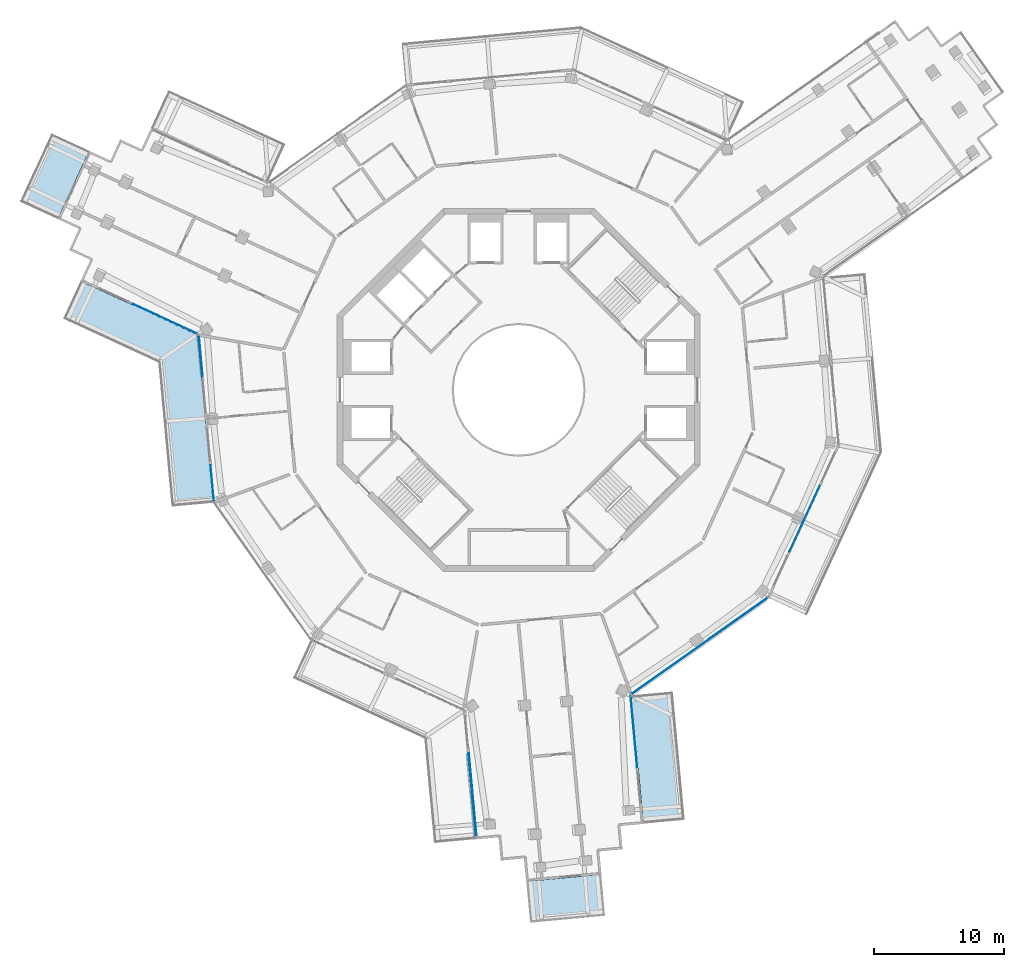
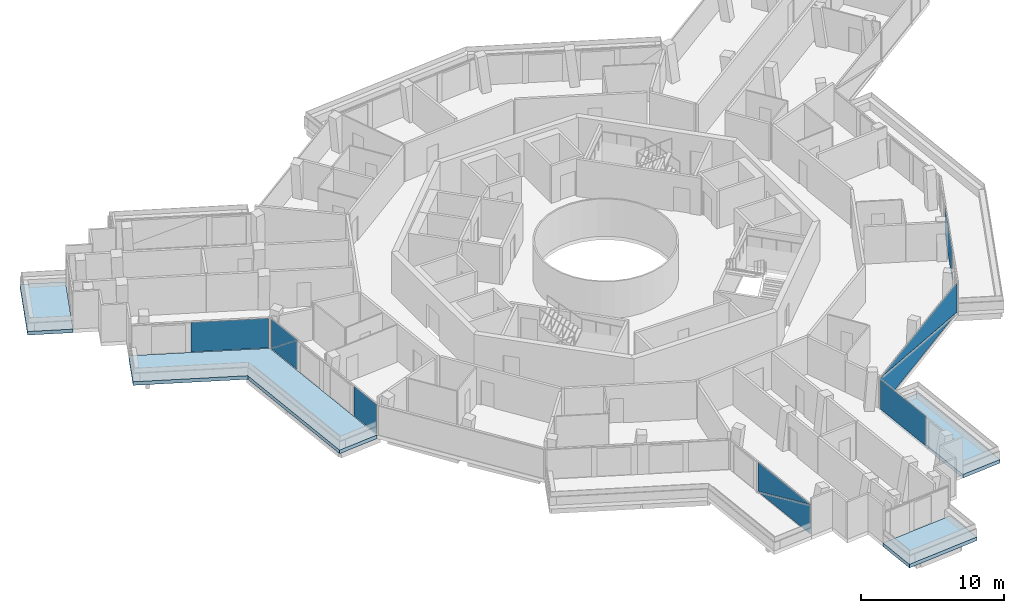
# One storey, part 13 of 25: 10 plates, 4 slabs, 6 elements without a shape of their own.
"""IFC4 building model written with IfcOpenShell, lengths in metres."""

from ifc_helpers import new_model, si_unit, direction, frame, origin, origin_2d, place, context, subcontext, project, spatial, polyline, rectangle, outline, extrude, material, layer, layer_set, type_object, element, aggregate, save


model = new_model("IFC4")

# Units and contexts
model_context = context("Model", 3, precision=1e-05, world=origin(), true_north=direction((0.0, 1.0)))
body_context = subcontext(model_context, "Body", "Model", "MODEL_VIEW")
ifc_project = project(units=[si_unit("LENGTHUNIT", "METRE"), si_unit("AREAUNIT", "SQUARE_METRE"), si_unit("VOLUMEUNIT", "CUBIC_METRE"), si_unit("PLANEANGLEUNIT", "RADIAN"), si_unit("MASSUNIT", "GRAM", prefix="KILO")], contexts=[model_context])

# Site, building, storey
site_placement = place(None, origin())
site = spatial("IfcSite", under=ifc_project, at=site_placement, CompositionType="ELEMENT")
building_placement = place(site_placement, origin())
building = spatial("IfcBuilding", under=site, at=building_placement, Name="Verdalira Terraces Hotel", CompositionType="ELEMENT")
storey_placement = place(building_placement, frame((0.0, 0.0, 299.5)))
storey = spatial("IfcBuildingStorey", under=building, at=storey_placement, Name="L74", CompositionType="ELEMENT", Elevation=299.5)

# Slabs
ifc_material_1 = material(Name="Precast concrete C40/50", Category="concrete")
ifc_layer_1 = layer(ifc_material_1, 0.31005859375)
ifc_layer_set_1 = layer_set([ifc_layer_1], Name="Balcony deck 310")
slab_type = type_object("IfcSlabType", Name="Balcony deck 310", PredefinedType="FLOOR", material=ifc_layer_set_1)
slab_1_placement = place(storey_placement, frame((0.0, 0.0, -0.310059)))
element("IfcSlab", 1, at=slab_1_placement, inside=storey, type_object=slab_type, Name="Balcony deck", PredefinedType="FLOOR", context=body_context, shape_type="SweptSolid", body=[
    extrude(outline(polyline([(-38.440918, 14.504395), (-35.53418, 13.16626), (-33.108643, 18.434814), (-36.015381, 19.772949), (-38.440918, 14.504395)])), origin(), (0.0, 0.0, 1.0), 0.310059),
])
slab_2_placement = place(storey_placement, frame((0.0, 0.0, -0.310059)))
element("IfcSlab", 2, at=slab_2_placement, inside=storey, type_object=slab_type, Name="Balcony deck", PredefinedType="FLOOR", context=body_context, shape_type="SweptSolid", body=[
    extrude(outline(polyline([(-27.77002, 2.105957), (-26.743652, -8.999268), (-23.557129, -8.704834), (-24.753662, 4.23999), (-33.769531, 8.390869), (-35.107666, 5.483887), (-27.77002, 2.105957)])), origin(), (0.0, 0.0, 1.0), 0.310059),
])
slab_3_placement = place(storey_placement, frame((0.0, 0.0, -0.310059)))
element("IfcSlab", 3, at=slab_3_placement, inside=storey, type_object=slab_type, Name="Balcony deck", PredefinedType="FLOOR", context=body_context, shape_type="SweptSolid", body=[
    extrude(outline(polyline([(6.65918, -40.542969), (6.364746, -37.356689), (0.589355, -37.890381), (0.883789, -41.07666), (6.65918, -40.542969)])), origin(), (0.0, 0.0, 1.0), 0.310059),
])
slab_4_placement = place(storey_placement, frame((0.0, 0.0, -0.310059)))
element("IfcSlab", 4, at=slab_4_placement, inside=storey, type_object=slab_type, Name="Balcony deck", PredefinedType="FLOOR", context=body_context, shape_type="SweptSolid", body=[
    extrude(outline(polyline([(11.891113, -23.262695), (8.704834, -23.557129), (9.618164, -33.440674), (12.804443, -33.145996), (11.891113, -23.262695)])), origin(), (0.0, 0.0, 1.0), 0.310059),
])

# Curtain wall, plates
ifc_material_2 = material(Name="Clear glass", Category="glass")
ifc_layer_2 = layer(ifc_material_2, 0.14990234375)
ifc_layer_set_2 = layer_set([ifc_layer_2], Name="CW1 curtain wall")
curtain_wall_type_1 = type_object("IfcCurtainWallType", Name="CW1 curtain wall", PredefinedType="NOTDEFINED", material=ifc_layer_set_2)
curtain_wall_1_placement = place(storey_placement, origin())
curtain_wall_1 = element("IfcCurtainWall", 5, at=curtain_wall_1_placement, inside=storey, type_object=curtain_wall_type_1, Name="CW1 curtain wall L74 edge 11", PredefinedType="NOTDEFINED")
ifc_material_3 = material(Name="Clear glass", Category="glass")
ifc_layer_3 = layer(ifc_material_3, 0.028076171875)
ifc_layer_set_3 = layer_set([ifc_layer_3], Name="CW1 glass unit 28")
plate_type_1 = type_object("IfcPlateType", Name="CW1 glass unit 28", PredefinedType="CURTAIN_PANEL", material=ifc_layer_set_3)
plate_1_placement = place(storey_placement, frame((-24.512695, 2.600342, 1.262451), z_axis=(-0.995756881, -0.092023008, 0.0), x_axis=(0.092023008, -0.995756881, 0.0)))
plate_1 = element("IfcPlate", 6, at=plate_1_placement, type_object=plate_type_1, Name="CW1 glass unit", PredefinedType="CURTAIN_PANEL", context=body_context, shape_type="SweptSolid", body=[
    extrude(outline(polyline([(-1.594971, -1.262451), (1.594971, -1.262451), (1.594971, 1.262451), (-1.594971, -1.262451)])), origin(), (0.0, 0.0, 1.0), 0.028076),
])
plate_2_placement = place(storey_placement, frame((-24.483643, 2.603027, 1.262451), z_axis=(-0.995756881, -0.092023008, 0.0), x_axis=(0.092023008, -0.995756881, 0.0)))
plate_2 = element("IfcPlate", 7, at=plate_2_placement, type_object=plate_type_1, Name="CW1 glass unit", PredefinedType="CURTAIN_PANEL", context=body_context, shape_type="SweptSolid", body=[
    extrude(outline(polyline([(-1.594971, -1.262451), (1.594971, 1.262451), (-1.594971, 1.262451), (-1.594971, -1.262451)])), origin(), (0.0, 0.0, 1.0), 0.028076),
])
plate_3_placement = place(storey_placement, frame((-23.620117, -7.209717, 0.0), z_axis=(0.0, 0.0, 1.0), x_axis=(0.092023008, -0.995756881, 0.0)))
plate_3 = element("IfcPlate", 8, at=plate_3_placement, type_object=plate_type_1, Name="CW1 glass unit", PredefinedType="CURTAIN_PANEL", context=body_context, shape_type="SweptSolid", body=[
    extrude(rectangle(XDim=2.788574, YDim=0.028076, at=origin_2d()), origin(), (0.0, 0.0, 1.0), 2.524902),
])
aggregate(curtain_wall_1, [plate_1, plate_2, plate_3])

curtain_wall_2_placement = place(storey_placement, origin())
curtain_wall_2 = element("IfcCurtainWall", 9, at=curtain_wall_2_placement, inside=storey, type_object=curtain_wall_type_1, Name="CW1 curtain wall L74 edge 25", PredefinedType="NOTDEFINED")
plate_4_placement = place(storey_placement, frame((13.943115, -19.741943, 1.262451), z_axis=(0.577572703, -0.816339251, 0.0), x_axis=(0.816339251, 0.577572703, 0.0)))
plate_4 = element("IfcPlate", 10, at=plate_4_placement, type_object=plate_type_1, Name="CW1 glass unit", PredefinedType="CURTAIN_PANEL", context=body_context, shape_type="SweptSolid", body=[
    extrude(outline(polyline([(-6.419922, -1.262451), (6.419922, -1.262451), (-6.419922, 1.262451), (-6.419922, -1.262451)])), origin(), (0.0, 0.0, 1.0), 0.028076),
])
plate_5_placement = place(storey_placement, frame((13.92627, -19.718262, 1.262451), z_axis=(0.577572703, -0.816339251, 0.0), x_axis=(0.816339251, 0.577572703, 0.0)))
plate_5 = element("IfcPlate", 11, at=plate_5_placement, type_object=plate_type_1, Name="CW1 glass unit", PredefinedType="CURTAIN_PANEL", context=body_context, shape_type="SweptSolid", body=[
    extrude(outline(polyline([(6.419922, -1.262451), (6.419922, 1.262451), (-6.419922, 1.262451), (6.419922, -1.262451)])), origin(), (0.0, 0.0, 1.0), 0.028076),
])
aggregate(curtain_wall_2, [plate_4, plate_5])

# Curtain wall, plate
curtain_wall_3_placement = place(storey_placement, origin())
curtain_wall_3 = element("IfcCurtainWall", 12, at=curtain_wall_3_placement, inside=storey, type_object=curtain_wall_type_1, Name="CW1 curtain wall L74 edge 26", PredefinedType="NOTDEFINED")
plate_6_placement = place(storey_placement, frame((22.04248, -9.949707, 0.0), z_axis=(0.0, 0.0, 1.0), x_axis=(0.418184178, 0.908362259, 0.0)))
plate_6 = element("IfcPlate", 13, at=plate_6_placement, type_object=plate_type_1, Name="CW1 glass unit", PredefinedType="CURTAIN_PANEL", context=body_context, shape_type="SweptSolid", body=[
    extrude(rectangle(XDim=5.586182, YDim=0.028076, at=origin_2d()), origin(), (0.0, 0.0, 1.0), 2.524902),
])
aggregate(curtain_wall_3, [plate_6])

ifc_material_4 = material(Name="Clear glass", Category="glass")
ifc_layer_4 = layer(ifc_material_4, 0.14990234375)
ifc_layer_set_4 = layer_set([ifc_layer_4], Name="CW2 curtain wall")
curtain_wall_type_2 = type_object("IfcCurtainWallType", Name="CW2 curtain wall", PredefinedType="NOTDEFINED", material=ifc_layer_set_4)
curtain_wall_4_placement = place(storey_placement, origin())
curtain_wall_4 = element("IfcCurtainWall", 14, at=curtain_wall_4_placement, inside=storey, type_object=curtain_wall_type_2, Name="CW2 curtain wall L74 edge 10", PredefinedType="NOTDEFINED")
ifc_material_5 = material(Name="Clear glass", Category="glass")
ifc_layer_5 = layer(ifc_material_5, 0.031982421875)
ifc_layer_set_5 = layer_set([ifc_layer_5], Name="CW2 glass unit 32")
plate_type_2 = type_object("IfcPlateType", Name="CW2 glass unit 32", PredefinedType="CURTAIN_PANEL", material=ifc_layer_set_5)
plate_7_placement = place(storey_placement, frame((-27.272705, 5.482422, 0.0), z_axis=(0.0, 0.0, 1.0), x_axis=(0.908362259, -0.418184178, 0.0)))
plate_7 = element("IfcPlate", 15, at=plate_7_placement, type_object=plate_type_2, Name="CW2 glass unit", PredefinedType="CURTAIN_PANEL", context=body_context, shape_type="SweptSolid", body=[
    extrude(rectangle(XDim=5.475342, YDim=0.031982, at=origin_2d()), origin(), (0.0, 0.0, 1.0), 2.524902),
])
aggregate(curtain_wall_4, [plate_7])

# Curtain wall, plates
curtain_wall_5_placement = place(storey_placement, origin())
curtain_wall_5 = element("IfcCurtainWall", 16, at=curtain_wall_5_placement, inside=storey, type_object=curtain_wall_type_2, Name="CW2 curtain wall L74 edge 14", PredefinedType="NOTDEFINED")
plate_8_placement = place(storey_placement, frame((-3.55249, -31.205322, 1.262451), z_axis=(-0.995756881, -0.092023008, 0.0), x_axis=(0.092023008, -0.995756881, 0.0)))
plate_8 = element("IfcPlate", 17, at=plate_8_placement, type_object=plate_type_2, Name="CW2 glass unit", PredefinedType="CURTAIN_PANEL", context=body_context, shape_type="SweptSolid", body=[
    extrude(outline(polyline([(-3.217773, -1.262451), (3.217773, -1.262451), (3.217773, 1.262451), (-3.217773, -1.262451)])), origin(), (0.0, 0.0, 1.0), 0.031982),
])
plate_9_placement = place(storey_placement, frame((-3.519531, -31.202393, 1.262451), z_axis=(-0.995756881, -0.092023008, 0.0), x_axis=(0.092023008, -0.995756881, 0.0)))
plate_9 = element("IfcPlate", 18, at=plate_9_placement, type_object=plate_type_2, Name="CW2 glass unit", PredefinedType="CURTAIN_PANEL", context=body_context, shape_type="SweptSolid", body=[
    extrude(outline(polyline([(-3.217773, -1.262451), (3.217773, 1.262451), (-3.217773, 1.262451), (-3.217773, -1.262451)])), origin(), (0.0, 0.0, 1.0), 0.031982),
])
aggregate(curtain_wall_5, [plate_8, plate_9])

# Curtain wall, plate
curtain_wall_6_placement = place(storey_placement, origin())
curtain_wall_6 = element("IfcCurtainWall", 19, at=curtain_wall_6_placement, inside=storey, type_object=curtain_wall_type_2, Name="CW2 curtain wall L74 edge 24", PredefinedType="NOTDEFINED")
plate_10_placement = place(storey_placement, frame((8.888428, -26.359863, 0.0), z_axis=(0.0, 0.0, 1.0), x_axis=(-0.092023008, 0.995756881, 0.0)))
plate_10 = element("IfcPlate", 20, at=plate_10_placement, type_object=plate_type_2, Name="CW2 glass unit", PredefinedType="CURTAIN_PANEL", context=body_context, shape_type="SweptSolid", body=[
    extrude(rectangle(XDim=5.475342, YDim=0.031982, at=origin_2d()), origin(), (0.0, 0.0, 1.0), 2.524902),
])
aggregate(curtain_wall_6, [plate_10])

save(model, "model.ifc")
